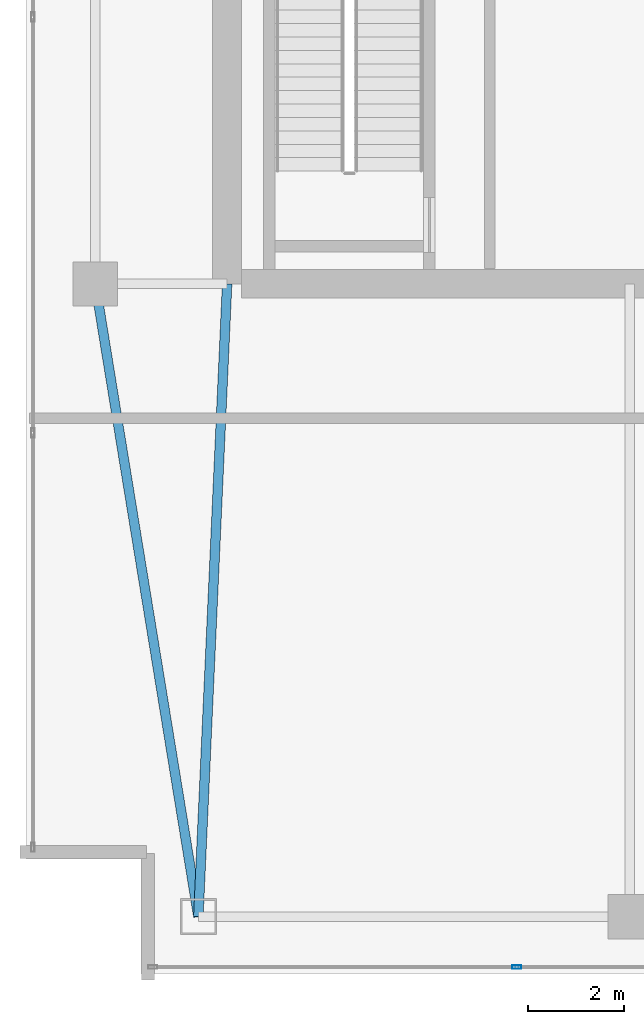
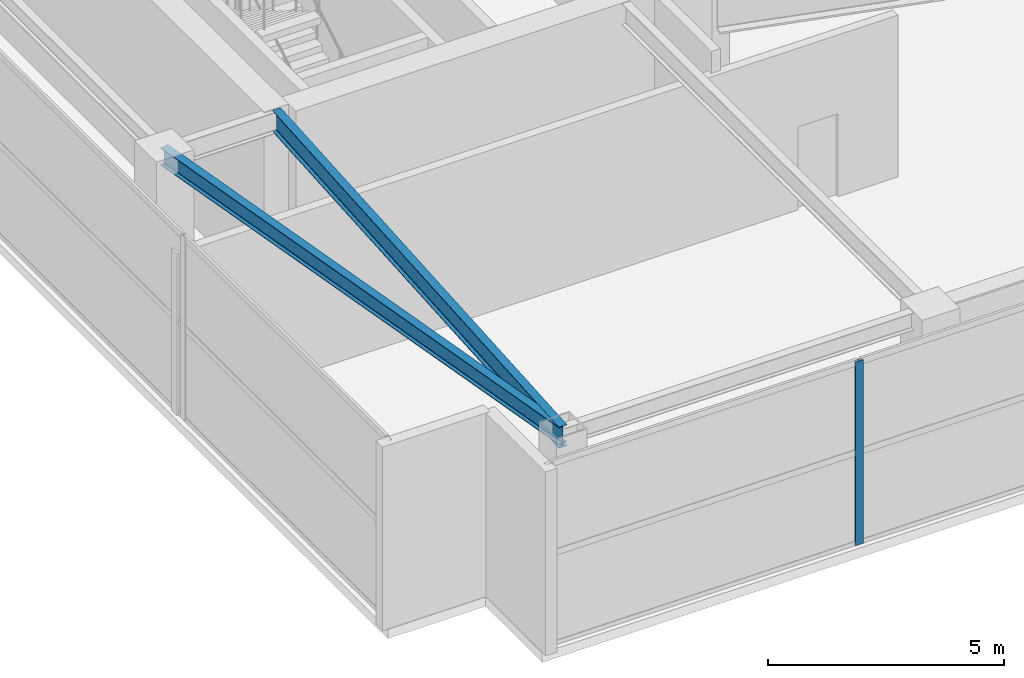
# One storey, part 4 of 21: 2 beams, 1 member, 1 element without a shape of its own.
"""IFC4 building model written with IfcOpenShell, lengths in metres."""

from ifc_helpers import new_model, si_unit, direction, frame, origin, origin_2d, place, context, subcontext, project, spatial, hollow_rectangle, i_section, extrude, material, layer, layer_set, material_profile, profile_set, type_object, element, aggregate, save


model = new_model("IFC4")

# Units and contexts
model_context = context("Model", 3, precision=1e-05, world=origin(), true_north=direction((0.0, 1.0)))
body_context = subcontext(model_context, "Body", "Model", "MODEL_VIEW")
ifc_project = project(units=[si_unit("LENGTHUNIT", "METRE"), si_unit("AREAUNIT", "SQUARE_METRE"), si_unit("VOLUMEUNIT", "CUBIC_METRE"), si_unit("PLANEANGLEUNIT", "RADIAN"), si_unit("MASSUNIT", "GRAM", prefix="KILO")], contexts=[model_context])

# Site, building, storey
site_placement = place(None, origin())
site = spatial("IfcSite", under=ifc_project, at=site_placement, CompositionType="ELEMENT")
building_placement = place(site_placement, origin())
building = spatial("IfcBuilding", under=site, at=building_placement, Name="Calvorn Quay Hotel", CompositionType="ELEMENT")
storey_placement = place(building_placement, frame((0.0, 0.0, 330.5)))
storey = spatial("IfcBuildingStorey", under=building, at=storey_placement, Name="L81", CompositionType="ELEMENT", Elevation=330.5)

# Beams
ifc_material_1 = material(Name="Steel Q355B", Category="steel")
ifc_material_profile_1 = material_profile(ifc_material_1, i_section(OverallWidth=0.199951171875, OverallDepth=0.550048828125, WebThickness=0.010009765625, FlangeThickness=0.01611328125, FilletRadius=0.01806640625, at=origin_2d()), Name="HN550x200x10x16")
ifc_profile_set_1 = profile_set([ifc_material_profile_1], Name="Steel Q355B")
beam_type_1 = type_object("IfcBeamType", Name="BM-GIRD-UPP", PredefinedType="BEAM", material=ifc_profile_set_1)
beam_1_placement = place(storey_placement, frame((3.60009765625, 3.60009765625, 4.465087890625), z_axis=(0.045396765494, 0.998969035397, 0.0), x_axis=(-0.998969035397, 0.045396765494, 0.0)))
element("IfcBeam", 1, at=beam_1_placement, inside=storey, type_object=beam_type_1, Name="Beam BG-L81-W0", PredefinedType="BEAM", context=body_context, shape_type="SweptSolid", body=[
    extrude(i_section(OverallWidth=0.199951171875, OverallDepth=0.550048828125, WebThickness=0.010009765625, FlangeThickness=0.01611328125, FilletRadius=0.01806640625, at=origin_2d()), origin(), (0.0, 0.0, 1.0), 13.213623046875),
])
ifc_material_2 = material(Name="Steel Q355B", Category="steel")
ifc_material_profile_2 = material_profile(ifc_material_2, i_section(OverallWidth=0.199951171875, OverallDepth=0.449951171875, WebThickness=0.009033203125, FlangeThickness=0.013916015625, FilletRadius=0.01611328125, at=origin_2d()), Name="HN450x200x9x14")
ifc_profile_set_2 = profile_set([ifc_material_profile_2], Name="Steel Q355B")
beam_type_2 = type_object("IfcBeamType", Name="BM-SPANDREL-Z3", PredefinedType="SPANDREL", material=ifc_profile_set_2)
beam_2_placement = place(storey_placement, frame((3.60009765625, 3.60009765625, 4.514892578125), z_axis=(-0.16077155054, 0.986991645627, 0.0), x_axis=(-0.986991645627, -0.16077155054, 0.0)))
element("IfcBeam", 2, at=beam_2_placement, inside=storey, type_object=beam_type_2, Name="Beam BSP-L81-W1", PredefinedType="SPANDREL", context=body_context, shape_type="SweptSolid", body=[
    extrude(i_section(OverallWidth=0.199951171875, OverallDepth=0.449951171875, WebThickness=0.009033203125, FlangeThickness=0.013916015625, FilletRadius=0.01611328125, at=origin_2d()), origin(), (0.0, 0.0, 1.0), 13.3740234375),
])

# Curtain wall, member
ifc_material_3 = material(Name="Pale Anodised Aluminium and Laminated Glass", Category="aluminium")
ifc_layer = layer(ifc_material_3, 0.219970703125)
ifc_layer_set = layer_set([ifc_layer], Name="CW-SYS-CRN")
curtain_wall_type = type_object("IfcCurtainWallType", Name="CW-SYS-CRN", PredefinedType="NOTDEFINED", material=ifc_layer_set)
curtain_wall_placement = place(storey_placement, origin())
curtain_wall = element("IfcCurtainWall", 3, at=curtain_wall_placement, inside=storey, type_object=curtain_wall_type, Name="Crown Curtain Wall L81-C1", PredefinedType="NOTDEFINED")
ifc_material_4 = material(Name="Pale Anodised Aluminium 6063-T6", Category="aluminium")
ifc_material_profile_3 = material_profile(ifc_material_4, hollow_rectangle(XDim=0.072021484375, YDim=0.195068359375, WallThickness=0.00390625, at=origin_2d()), Name="ALU-M195x72x4")
ifc_profile_set_3 = profile_set([ifc_material_profile_3], Name="Pale Anodised Aluminium 6063-T6")
member_type = type_object("IfcMemberType", Name="CW-SYS-CRN-MUL", PredefinedType="MULLION", material=ifc_profile_set_3)
member_placement = place(storey_placement, frame((10.239990234375, 2.550048828125, 0.0), z_axis=(0.0, 0.0, 1.0), x_axis=(0.0, 1.0, 0.0)))
member = element("IfcMember", 4, at=member_placement, type_object=member_type, Name="CW-L81-C1 mullion 2", PredefinedType="MULLION", context=body_context, shape_type="SweptSolid", body=[
    extrude(hollow_rectangle(XDim=0.072021484375, YDim=0.195068359375, WallThickness=0.00390625, at=origin_2d()), origin(), (0.0, 0.0, 1.0), 4.760009765625),
])
aggregate(curtain_wall, [member])

save(model, "model.ifc")
